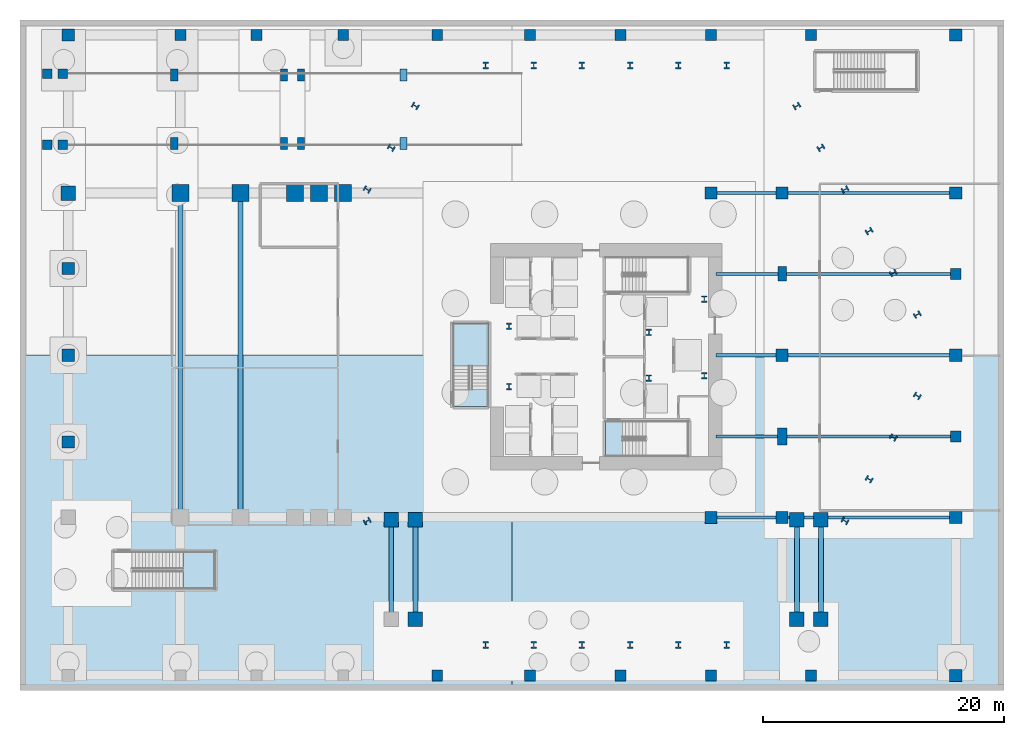
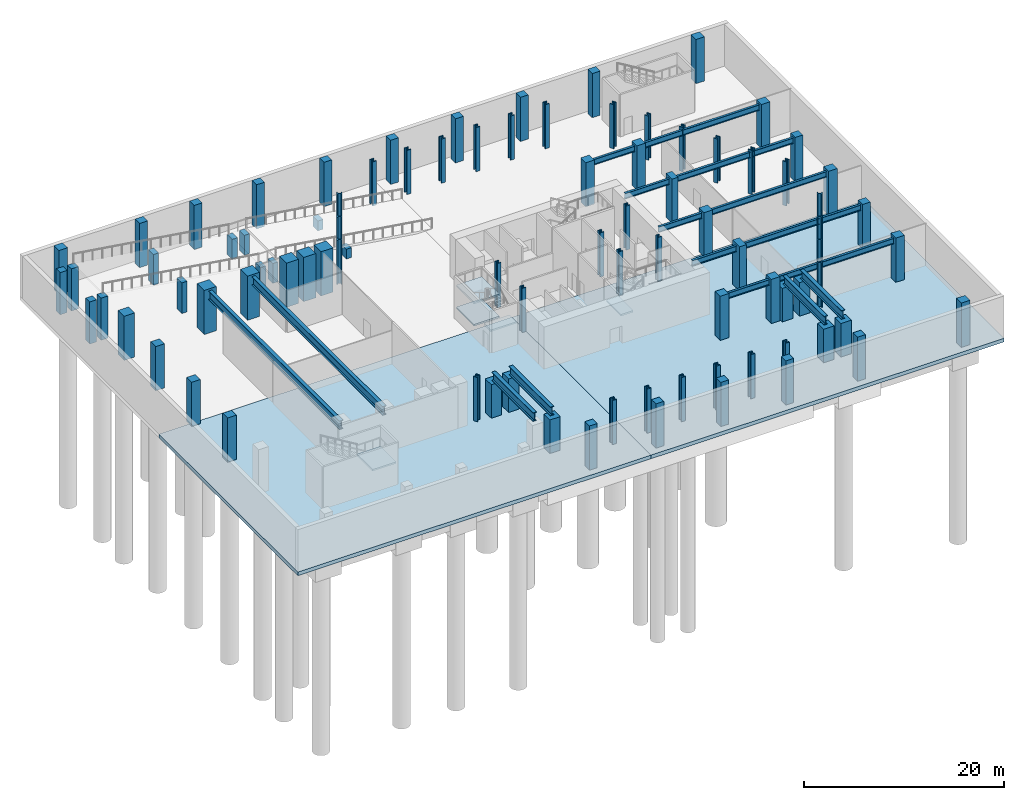
# One storey, part 2 of 16: 88 columns, 16 beams, 7 slabs, 3 elements without a shape of their own.
"""IFC4 building model written with IfcOpenShell, lengths in metres."""

from ifc_helpers import new_model, si_unit, direction, frame, origin, origin_2d, place, context, subcontext, project, spatial, polyline, rectangle, i_section, outline, extrude, material, layer, layer_set, material_profile, profile_set, type_object, element, aggregate, save


model = new_model("IFC4")

# Units and contexts
model_context = context("Model", 3, precision=1e-05, world=origin(), true_north=direction((0.0, 1.0)))
body_context = subcontext(model_context, "Body", "Model", "MODEL_VIEW")
ifc_project = project(units=[si_unit("LENGTHUNIT", "METRE"), si_unit("AREAUNIT", "SQUARE_METRE"), si_unit("VOLUMEUNIT", "CUBIC_METRE"), si_unit("PLANEANGLEUNIT", "RADIAN"), si_unit("MASSUNIT", "GRAM", prefix="KILO")], contexts=[model_context])

# Site, building, storey
site_placement = place(None, origin())
site = spatial("IfcSite", under=ifc_project, at=site_placement, CompositionType="ELEMENT")
building_placement = place(site_placement, origin())
building = spatial("IfcBuilding", under=site, at=building_placement, Name="Valkerne Bourse Tower", CompositionType="ELEMENT")
storey_placement = place(building_placement, frame((0.0, 0.0, -5.39990234375)))
storey = spatial("IfcBuildingStorey", under=building, at=storey_placement, Name="B1", CompositionType="ELEMENT", Elevation=-5.39990234375)

# Columns
ifc_material_1 = material(Name="Concrete C70/85", Category="concrete")
ifc_material_profile_1 = material_profile(ifc_material_1, rectangle(XDim=1.0, YDim=1.0, at=origin_2d()), Name="RC1000X1000")
ifc_profile_set_1 = profile_set([ifc_material_profile_1], Name="Concrete C70/85")
column_type_1 = type_object("IfcColumnType", Name="COL-RC1000X1000", PredefinedType="COLUMN", material=ifc_profile_set_1)
for number, where, z_axis, x_axis, name in (
    (1, (2.199951171875, 19.800048828125, 0.0), (0.0, 0.0, 1.0), (1.0, 0.0, 0.0), "B1 Podium Column PW-3"),
    (2, (2.199951171875, 27.0, 0.0), (0.0, 0.0, 1.0), (1.0, 0.0, 0.0), "B1 Podium Column PW-4"),
    (3, (2.199951171875, 34.199951171875, 0.0), (0.0, 0.0, 1.0), (1.0, 0.0, 0.0), "B1 Podium Column PW-5"),
    (4, (2.199951171875, 53.550048828125, 0.0), (0.0, 0.0, 1.0), (1.0, 0.0, 0.0), "B1 Podium Column PW-7"),
    (5, (75.800048828125, 0.449951171875, 0.0), (0.0, 0.0, 1.0), (1.0, 0.0, 0.0), "B1 Podium Column PS-9"),
    (6, (75.800048828125, 53.550048828125, 0.0), (0.0, 0.0, 1.0), (1.0, 0.0, 0.0), "B1 Podium Column PN-9"),
    (7, (75.800048828125, 13.550048828125, 0.0), (0.0, 0.0, 1.0), (1.0, 0.0, 0.0), "B1 Podium Column PE-1"),
    (8, (75.800048828125, 27.0, 0.0), (0.0, 0.0, 1.0), (1.0, 0.0, 0.0), "B1 Podium Column PE-3"),
    (9, (75.800048828125, 40.449951171875, 0.0), (0.0, 0.0, 1.0), (1.0, 0.0, 0.0), "B1 Podium Column PE-5"),
    (10, (55.5, 13.550048828125, 0.0), (0.0, 0.0, 1.0), (1.0, 0.0, 0.0), "B1 Podium Column PI-C1"),
    (11, (55.5, 40.449951171875, 0.0), (0.0, 0.0, 1.0), (1.0, 0.0, 0.0), "B1 Podium Column PI-C2"),
    (12, (61.39990234375, 13.550048828125, 0.0), (0.0, 0.0, 1.0), (1.0, 0.0, 0.0), "B1 Podium Column PI-E1"),
    (13, (61.39990234375, 27.0, 0.0), (0.0, 0.0, 1.0), (1.0, 0.0, 0.0), "B1 Podium Column PI-E3"),
    (14, (61.39990234375, 40.449951171875, 0.0), (0.0, 0.0, 1.0), (1.0, 0.0, 0.0), "B1 Podium Column PI-E5"),
):
    element("IfcColumn", number, at=place(storey_placement, frame(where, z_axis=z_axis, x_axis=x_axis)), inside=storey, type_object=column_type_1, Name=name, PredefinedType="COLUMN", context=body_context, shape_type="SweptSolid", body=[
        extrude(rectangle(XDim=1.0, YDim=1.0, at=origin_2d()), origin(), (0.0, 0.0, 1.0), 5.39990234375),
    ])
ifc_material_profile_2 = material_profile(ifc_material_1, rectangle(XDim=1.199951171875, YDim=1.199951171875, at=origin_2d()), Name="RC1200X1200")
ifc_profile_set_2 = profile_set([ifc_material_profile_2], Name="Concrete C70/85")
column_type_2 = type_object("IfcColumnType", Name="COL-RC1200X1200", PredefinedType="COLUMN", material=ifc_profile_set_2)
column_1_placement = place(storey_placement, frame((2.199951171875, 40.449951171875, 0.0), z_axis=(0.0, 0.0, 1.0), x_axis=(1.0, 0.0, 0.0)))
element("IfcColumn", 15, at=column_1_placement, inside=storey, type_object=column_type_2, Name="B1 Podium Column PW-6", PredefinedType="COLUMN", context=body_context, shape_type="SweptSolid", body=[
    extrude(rectangle(XDim=1.199951171875, YDim=1.199951171875, at=origin_2d()), origin(), (0.0, 0.0, 1.0), 5.39990234375),
])
for number, where, z_axis, x_axis, name in (
    (16, (28.984619140625, 13.35009765625, 0.0), (0.0, 0.0, 1.0), (1.0, 0.0, 0.0), "B1 Lane Transfer Pier 22B"),
    (17, (30.982421875, 5.10009765625, 0.0), (0.0, 0.0, 1.0), (1.0, 0.0, 0.0), "B1 Lane Transfer Pier 23A"),
    (18, (30.982421875, 13.35009765625, 0.0), (0.0, 0.0, 1.0), (1.0, 0.0, 0.0), "B1 Lane Transfer Pier 23B"),
    (19, (62.617431640625, 5.10009765625, 0.0), (0.0, 0.0, 1.0), (1.0, 0.0, 0.0), "B1 Lane Transfer Pier 30A"),
    (20, (62.617431640625, 13.35009765625, 0.0), (0.0, 0.0, 1.0), (1.0, 0.0, 0.0), "B1 Lane Transfer Pier 30B"),
    (21, (64.615478515625, 5.10009765625, 0.0), (0.0, 0.0, 1.0), (1.0, 0.0, 0.0), "B1 Lane Transfer Pier 31A"),
    (22, (64.615478515625, 13.35009765625, 0.0), (0.0, 0.0, 1.0), (1.0, 0.0, 0.0), "B1 Lane Transfer Pier 31B"),
):
    element("IfcColumn", number, at=place(storey_placement, frame(where, z_axis=z_axis, x_axis=x_axis)), inside=storey, type_object=column_type_2, Name=name, PredefinedType="COLUMN", context=body_context, shape_type="SweptSolid", body=[
        extrude(rectangle(XDim=1.199951171875, YDim=1.199951171875, at=origin_2d()), origin(), (0.0, 0.0, 1.0), 4.093017578125),
    ])
ifc_material_profile_3 = material_profile(ifc_material_1, rectangle(XDim=1.39990234375, YDim=1.39990234375, at=origin_2d()), Name="RC1400X1400")
ifc_profile_set_3 = profile_set([ifc_material_profile_3], Name="Concrete C70/85")
column_type_3 = type_object("IfcColumnType", Name="COL-RC1400X1400", PredefinedType="COLUMN", material=ifc_profile_set_3)
for number, where, z_axis, x_axis, name in (
    (23, (11.5, 40.449951171875, 0.0), (0.0, 0.0, 1.0), (1.0, 0.0, 0.0), "B1 Podium Column MC-N1"),
    (24, (16.5, 40.449951171875, 0.0), (0.0, 0.0, 1.0), (1.0, 0.0, 0.0), "B1 Podium Column MC-N2"),
    (25, (20.991943359375, 40.449951171875, 0.0), (0.0, 0.0, 1.0), (1.0, 0.0, 0.0), "B1 Podium Column MCH-N1"),
    (26, (22.990966796875, 40.449951171875, 0.0), (0.0, 0.0, 1.0), (1.0, 0.0, 0.0), "B1 Podium Column MCH-N2"),
    (27, (24.988037109375, 40.449951171875, 0.0), (0.0, 0.0, 1.0), (1.0, 0.0, 0.0), "B1 Podium Column MCH-N3"),
):
    element("IfcColumn", number, at=place(storey_placement, frame(where, z_axis=z_axis, x_axis=x_axis)), inside=storey, type_object=column_type_3, Name=name, PredefinedType="COLUMN", context=body_context, shape_type="SweptSolid", body=[
        extrude(rectangle(XDim=1.39990234375, YDim=1.39990234375, at=origin_2d()), origin(), (0.0, 0.0, 1.0), 5.39990234375),
    ])
ifc_material_2 = material(Name="Concrete C55/67", Category="concrete")
ifc_material_profile_4 = material_profile(ifc_material_2, rectangle(XDim=0.60009765625, YDim=1.0, at=origin_2d()), Name="RC600X1000")
ifc_profile_set_4 = profile_set([ifc_material_profile_4], Name="Concrete C55/67")
column_type_4 = type_object("IfcColumnType", Name="COL-RC600X1000", PredefinedType="COLUMN", material=ifc_profile_set_4)
for number, where, z_axis, x_axis, name in (
    (28, (30.0, 44.550048828125, 0.0), (0.0, 0.0, 1.0), (1.0, 0.0, 0.0), "B1 Vehicle Ramp Support Column X30.0"),
    (29, (30.0, 50.25, 0.0), (0.0, 0.0, 1.0), (1.0, 0.0, 0.0), "B1 Vehicle Ramp Support Column X30.0"),
):
    element("IfcColumn", number, at=place(storey_placement, frame(where, z_axis=z_axis, x_axis=x_axis)), inside=storey, type_object=column_type_4, Name=name, PredefinedType="COLUMN", context=body_context, shape_type="SweptSolid", body=[
        extrude(rectangle(XDim=0.60009765625, YDim=1.0, at=origin_2d()), origin(), (0.0, 0.0, 1.0), 1.199951171875),
    ])
for number, where, z_axis, x_axis, name in (
    (30, (21.5, 44.550048828125, 0.0), (0.0, 0.0, 1.0), (1.0, 0.0, 0.0), "B1 Vehicle Ramp Support Column X21.5"),
    (31, (21.5, 50.25, 0.0), (0.0, 0.0, 1.0), (1.0, 0.0, 0.0), "B1 Vehicle Ramp Support Column X21.5"),
    (32, (20.10009765625, 44.550048828125, 0.0), (0.0, 0.0, 1.0), (1.0, 0.0, 0.0), "B1 Vehicle Ramp Support Column X20.1"),
    (33, (20.10009765625, 50.25, 0.0), (0.0, 0.0, 1.0), (1.0, 0.0, 0.0), "B1 Vehicle Ramp Support Column X20.1"),
):
    element("IfcColumn", number, at=place(storey_placement, frame(where, z_axis=z_axis, x_axis=x_axis)), inside=storey, type_object=column_type_4, Name=name, PredefinedType="COLUMN", context=body_context, shape_type="SweptSolid", body=[
        extrude(rectangle(XDim=0.60009765625, YDim=1.0, at=origin_2d()), origin(), (0.0, 0.0, 1.0), 2.419921875),
    ])
for number, where, z_axis, x_axis, name in (
    (34, (11.0, 44.550048828125, 0.0), (0.0, 0.0, 1.0), (1.0, 0.0, 0.0), "B1 Vehicle Ramp Support Column X11.0"),
    (35, (11.0, 50.25, 0.0), (0.0, 0.0, 1.0), (1.0, 0.0, 0.0), "B1 Vehicle Ramp Support Column X11.0"),
):
    element("IfcColumn", number, at=place(storey_placement, frame(where, z_axis=z_axis, x_axis=x_axis)), inside=storey, type_object=column_type_4, Name=name, PredefinedType="COLUMN", context=body_context, shape_type="SweptSolid", body=[
        extrude(rectangle(XDim=0.60009765625, YDim=1.0, at=origin_2d()), origin(), (0.0, 0.0, 1.0), 3.75),
    ])
ifc_material_profile_5 = material_profile(ifc_material_1, rectangle(XDim=0.699951171875, YDim=1.199951171875, at=origin_2d()), Name="RC700X1200")
ifc_profile_set_5 = profile_set([ifc_material_profile_5], Name="Concrete C70/85")
column_type_5 = type_object("IfcColumnType", Name="COL-RC700X1200", PredefinedType="COLUMN", material=ifc_profile_set_5)
column_2_placement = place(storey_placement, frame((61.39990234375, 33.75, 0.0), z_axis=(0.0, 0.0, 1.0), x_axis=(1.0, 0.0, 0.0)))
element("IfcColumn", 36, at=column_2_placement, inside=storey, type_object=column_type_5, Name="B1 Podium Column PI-E4", PredefinedType="COLUMN", context=body_context, shape_type="SweptSolid", body=[
    extrude(rectangle(XDim=0.699951171875, YDim=1.199951171875, at=origin_2d()), origin(), (0.0, 0.0, 1.0), 5.39990234375),
])
ifc_material_profile_6 = material_profile(ifc_material_1, rectangle(XDim=0.800048828125, YDim=1.39990234375, at=origin_2d()), Name="RC800X1400")
ifc_profile_set_6 = profile_set([ifc_material_profile_6], Name="Concrete C70/85")
column_type_6 = type_object("IfcColumnType", Name="COL-RC800X1400", PredefinedType="COLUMN", material=ifc_profile_set_6)
column_3_placement = place(storey_placement, frame((61.39990234375, 20.25, 0.0), z_axis=(0.0, 0.0, 1.0), x_axis=(1.0, 0.0, 0.0)))
element("IfcColumn", 37, at=column_3_placement, inside=storey, type_object=column_type_6, Name="B1 Podium Column PI-E2", PredefinedType="COLUMN", context=body_context, shape_type="SweptSolid", body=[
    extrude(rectangle(XDim=0.800048828125, YDim=1.39990234375, at=origin_2d()), origin(), (0.0, 0.0, 1.0), 5.39990234375),
])
ifc_material_profile_7 = material_profile(ifc_material_2, rectangle(XDim=0.800048828125, YDim=0.800048828125, at=origin_2d()), Name="RC800X800")
ifc_profile_set_7 = profile_set([ifc_material_profile_7], Name="Concrete C55/67")
column_type_7 = type_object("IfcColumnType", Name="COL-RC800X800", PredefinedType="COLUMN", material=ifc_profile_set_7)
for number, where, z_axis, x_axis, name in (
    (38, (0.449951171875, 44.449951171875, 0.0), (0.0, 0.0, 1.0), (1.0, 0.0, 0.0), "B1 Podium Column PRA-1"),
    (39, (0.449951171875, 50.35009765625, 0.0), (0.0, 0.0, 1.0), (1.0, 0.0, 0.0), "B1 Podium Column PRA-2"),
    (40, (1.75, 44.449951171875, 0.0), (0.0, 0.0, 1.0), (1.0, 0.0, 0.0), "B1 Podium Column PRA-3"),
    (41, (1.75, 50.35009765625, 0.0), (0.0, 0.0, 1.0), (1.0, 0.0, 0.0), "B1 Podium Column PRA-4"),
):
    element("IfcColumn", number, at=place(storey_placement, frame(where, z_axis=z_axis, x_axis=x_axis)), inside=storey, type_object=column_type_7, Name=name, PredefinedType="COLUMN", context=body_context, shape_type="SweptSolid", body=[
        extrude(rectangle(XDim=0.800048828125, YDim=0.800048828125, at=origin_2d()), origin(), (0.0, 0.0, 1.0), 5.14990234375),
    ])
ifc_material_profile_8 = material_profile(ifc_material_1, rectangle(XDim=0.89990234375, YDim=0.89990234375, at=origin_2d()), Name="RC900X900")
ifc_profile_set_8 = profile_set([ifc_material_profile_8], Name="Concrete C70/85")
column_type_8 = type_object("IfcColumnType", Name="COL-RC900X900", PredefinedType="COLUMN", material=ifc_profile_set_8)
for number, where, z_axis, x_axis, name in (
    (42, (32.800048828125, 0.449951171875, 0.0), (0.0, 0.0, 1.0), (1.0, 0.0, 0.0), "B1 Podium Column PS-4"),
    (43, (40.5, 0.449951171875, 0.0), (0.0, 0.0, 1.0), (1.0, 0.0, 0.0), "B1 Podium Column PS-5"),
    (44, (48.0, 0.449951171875, 0.0), (0.0, 0.0, 1.0), (1.0, 0.0, 0.0), "B1 Podium Column PS-6"),
    (45, (55.5, 0.449951171875, 0.0), (0.0, 0.0, 1.0), (1.0, 0.0, 0.0), "B1 Podium Column PS-7"),
    (46, (63.800048828125, 0.449951171875, 0.0), (0.0, 0.0, 1.0), (1.0, 0.0, 0.0), "B1 Podium Column PS-8"),
    (47, (11.5, 53.550048828125, 0.0), (0.0, 0.0, 1.0), (1.0, 0.0, 0.0), "B1 Podium Column PN-1"),
    (48, (17.800048828125, 53.550048828125, 0.0), (0.0, 0.0, 1.0), (1.0, 0.0, 0.0), "B1 Podium Column PN-2"),
    (49, (25.0, 53.550048828125, 0.0), (0.0, 0.0, 1.0), (1.0, 0.0, 0.0), "B1 Podium Column PN-3"),
    (50, (32.800048828125, 53.550048828125, 0.0), (0.0, 0.0, 1.0), (1.0, 0.0, 0.0), "B1 Podium Column PN-4"),
    (51, (40.5, 53.550048828125, 0.0), (0.0, 0.0, 1.0), (1.0, 0.0, 0.0), "B1 Podium Column PN-5"),
    (52, (48.0, 53.550048828125, 0.0), (0.0, 0.0, 1.0), (1.0, 0.0, 0.0), "B1 Podium Column PN-6"),
    (53, (55.5, 53.550048828125, 0.0), (0.0, 0.0, 1.0), (1.0, 0.0, 0.0), "B1 Podium Column PN-7"),
    (54, (63.800048828125, 53.550048828125, 0.0), (0.0, 0.0, 1.0), (1.0, 0.0, 0.0), "B1 Podium Column PN-8"),
    (55, (75.800048828125, 20.25, 0.0), (0.0, 0.0, 1.0), (1.0, 0.0, 0.0), "B1 Podium Column PE-2"),
    (56, (75.800048828125, 33.75, 0.0), (0.0, 0.0, 1.0), (1.0, 0.0, 0.0), "B1 Podium Column PE-4"),
):
    element("IfcColumn", number, at=place(storey_placement, frame(where, z_axis=z_axis, x_axis=x_axis)), inside=storey, type_object=column_type_8, Name=name, PredefinedType="COLUMN", context=body_context, shape_type="SweptSolid", body=[
        extrude(rectangle(XDim=0.89990234375, YDim=0.89990234375, at=origin_2d()), origin(), (0.0, 0.0, 1.0), 5.39990234375),
    ])
ifc_material_3 = material(Name="Steel ASTM A913 Grade 65", Category="steel")
ifc_material_profile_9 = material_profile(ifc_material_3, i_section(OverallWidth=0.44189453125, OverallDepth=0.531005859375, WebThickness=0.06591796875, FlangeThickness=0.105712890625, FilletRadius=0.030517578125, at=origin_2d()), Name="W14X605")
ifc_profile_set_9 = profile_set([ifc_material_profile_9], Name="Steel ASTM A913 Grade 65")
column_type_9 = type_object("IfcColumnType", Name="COL-W14X605", PredefinedType="COLUMN", material=ifc_profile_set_9)
for number, where, z_axis, x_axis, name in (
    (57, (38.75, 24.39990234375, 0.0), (0.0, 0.0, 1.0), (1.0, 0.0, 0.0), "B1 Core Frame Column CC-SW"),
    (58, (38.75, 29.39990234375, 0.0), (0.0, 0.0, 1.0), (1.0, 0.0, 0.0), "B1 Core Frame Column CC-NW"),
    (59, (50.35009765625, 25.10009765625, 0.0), (0.0, 0.0, 1.0), (1.0, 0.0, 0.0), "B1 Core Frame Column CC-CE1"),
    (60, (50.35009765625, 28.89990234375, 0.0), (0.0, 0.0, 1.0), (1.0, 0.0, 0.0), "B1 Core Frame Column CC-CE2"),
    (61, (54.949951171875, 25.300048828125, 0.0), (0.0, 0.0, 1.0), (1.0, 0.0, 0.0), "B1 Core Frame Column CC-SE"),
    (62, (54.949951171875, 31.64990234375, 0.0), (0.0, 0.0, 1.0), (1.0, 0.0, 0.0), "B1 Core Frame Column CC-NE"),
):
    element("IfcColumn", number, at=place(storey_placement, frame(where, z_axis=z_axis, x_axis=x_axis)), inside=storey, type_object=column_type_9, Name=name, PredefinedType="COLUMN", context=body_context, shape_type="SweptSolid", body=[
        extrude(i_section(OverallWidth=0.44189453125, OverallDepth=0.531005859375, WebThickness=0.06591796875, FlangeThickness=0.105712890625, FilletRadius=0.030517578125, at=origin_2d()), origin(), (0.0, 0.0, 1.0), 5.39990234375),
    ])
ifc_material_profile_10 = material_profile(ifc_material_3, i_section(OverallWidth=0.45458984375, OverallDepth=0.569091796875, WebThickness=0.077880859375, FlangeThickness=0.124755859375, FilletRadius=0.030517578125, at=origin_2d()), Name="W14X730")
ifc_profile_set_10 = profile_set([ifc_material_profile_10], Name="Steel ASTM A913 Grade 65")
column_type_10 = type_object("IfcColumnType", Name="COL-W14X730", PredefinedType="COLUMN", material=ifc_profile_set_10)
for number, where, z_axis, x_axis, name in (
    (63, (72.607421875, 30.364501953125, 0.0), (0.0, 0.0, 1.0), (-0.5, 0.866025403784, 0.0), "B1 Tower Base Mega-Column Z1B-00"),
    (64, (70.609619140625, 33.8251953125, 0.0), (0.0, 0.0, 1.0), (-0.5, 0.866025403784, 0.0), "B1 Tower Base Mega-Column Z1B-01"),
    (65, (68.611572265625, 37.285888671875, 0.0), (0.0, 0.0, 1.0), (-0.5, 0.866025403784, 0.0), "B1 Tower Base Mega-Column Z1B-02"),
    (66, (66.613525390625, 40.746337890625, 0.0), (0.0, 0.0, 1.0), (-0.5, 0.866025403784, 0.0), "B1 Tower Base Mega-Column Z1B-03"),
    (67, (64.615478515625, 44.20703125, 0.0), (0.0, 0.0, 1.0), (-0.5, 0.866025403784, 0.0), "B1 Tower Base Mega-Column Z1B-04"),
    (68, (62.617431640625, 47.667724609375, 0.0), (0.0, 0.0, 1.0), (-0.5, 0.866025403784, 0.0), "B1 Tower Base Mega-Column Z1B-05"),
    (69, (56.7900390625, 51.0322265625, 0.0), (0.0, 0.0, 1.0), (-1.0, 0.0, 0.0), "B1 Tower Base Mega-Column Z1B-06"),
    (70, (52.7939453125, 51.0322265625, 0.0), (0.0, 0.0, 1.0), (-1.0, 0.0, 0.0), "B1 Tower Base Mega-Column Z1B-07"),
    (71, (48.798095703125, 51.0322265625, 0.0), (0.0, 0.0, 1.0), (-1.0, 0.0, 0.0), "B1 Tower Base Mega-Column Z1B-08"),
    (72, (44.802001953125, 51.0322265625, 0.0), (0.0, 0.0, 1.0), (-1.0, 0.0, 0.0), "B1 Tower Base Mega-Column Z1B-09"),
    (73, (40.805908203125, 51.0322265625, 0.0), (0.0, 0.0, 1.0), (-1.0, 0.0, 0.0), "B1 Tower Base Mega-Column Z1B-10"),
    (74, (36.81005859375, 51.0322265625, 0.0), (0.0, 0.0, 1.0), (-1.0, 0.0, 0.0), "B1 Tower Base Mega-Column Z1B-11"),
    (75, (30.982421875, 47.667724609375, 0.0), (0.0, 0.0, 1.0), (-0.5, -0.866025403784, 0.0), "B1 Tower Base Mega-Column Z1B-12"),
    (76, (28.984619140625, 44.20703125, 0.0), (0.0, 0.0, 1.0), (-0.5, -0.866025403784, 0.0), "B1 Tower Base Mega-Column Z1B-13"),
    (77, (26.986572265625, 40.746337890625, 0.0), (0.0, 0.0, 1.0), (-0.5, -0.866025403784, 0.0), "B1 Tower Base Mega-Column Z1B-14"),
    (78, (26.986572265625, 13.253662109375, 0.0), (0.0, 0.0, 1.0), (0.5, -0.866025403784, 0.0), "B1 Tower Base Mega-Column Z1B-21"),
    (79, (36.81005859375, 2.9677734375, 0.0), (0.0, 0.0, 1.0), (1.0, 0.0, 0.0), "B1 Tower Base Mega-Column Z1B-24"),
    (80, (40.805908203125, 2.9677734375, 0.0), (0.0, 0.0, 1.0), (1.0, 0.0, 0.0), "B1 Tower Base Mega-Column Z1B-25"),
    (81, (44.802001953125, 2.9677734375, 0.0), (0.0, 0.0, 1.0), (1.0, 0.0, 0.0), "B1 Tower Base Mega-Column Z1B-26"),
    (82, (48.798095703125, 2.9677734375, 0.0), (0.0, 0.0, 1.0), (1.0, 0.0, 0.0), "B1 Tower Base Mega-Column Z1B-27"),
    (83, (52.7939453125, 2.9677734375, 0.0), (0.0, 0.0, 1.0), (1.0, 0.0, 0.0), "B1 Tower Base Mega-Column Z1B-28"),
    (84, (56.7900390625, 2.9677734375, 0.0), (0.0, 0.0, 1.0), (1.0, 0.0, 0.0), "B1 Tower Base Mega-Column Z1B-29"),
    (85, (66.613525390625, 13.253662109375, 0.0), (0.0, 0.0, 1.0), (0.5, 0.866025403784, 0.0), "B1 Tower Base Mega-Column Z1B-32"),
    (86, (68.611572265625, 16.714111328125, 0.0), (0.0, 0.0, 1.0), (0.5, 0.866025403784, 0.0), "B1 Tower Base Mega-Column Z1B-33"),
    (87, (70.609619140625, 20.1748046875, 0.0), (0.0, 0.0, 1.0), (0.5, 0.866025403784, 0.0), "B1 Tower Base Mega-Column Z1B-34"),
    (88, (72.607421875, 23.635498046875, 0.0), (0.0, 0.0, 1.0), (0.5, 0.866025403784, 0.0), "B1 Tower Base Mega-Column Z1B-35"),
):
    element("IfcColumn", number, at=place(storey_placement, frame(where, z_axis=z_axis, x_axis=x_axis)), inside=storey, type_object=column_type_10, Name=name, PredefinedType="COLUMN", context=body_context, shape_type="SweptSolid", body=[
        extrude(i_section(OverallWidth=0.45458984375, OverallDepth=0.569091796875, WebThickness=0.077880859375, FlangeThickness=0.124755859375, FilletRadius=0.030517578125, at=origin_2d()), origin(), (0.0, 0.0, 1.0), 5.39501953125),
    ])

# Beams
ifc_material_4 = material(Name="Steel ASTM A992", Category="steel")
ifc_material_profile_11 = material_profile(ifc_material_4, i_section(OverallWidth=0.255859375, OverallDepth=0.693359375, WebThickness=0.014404296875, FlangeThickness=0.023681640625, FilletRadius=0.02294921875, at=origin_2d()), Name="W27X114")
ifc_profile_set_11 = profile_set([ifc_material_profile_11], Name="Steel ASTM A992")
beam_type_1 = type_object("IfcBeamType", Name="BM-W27X114", PredefinedType="BEAM", material=ifc_profile_set_11)
beam_1_placement = place(storey_placement, frame((55.5, 13.550048828125, 4.813232421875), z_axis=(1.0, 0.0, 0.0), x_axis=(0.0, 1.0, 0.0)))
element("IfcBeam", 89, at=beam_1_placement, inside=storey, type_object=beam_type_1, Name="B1 East Wing Floor Girder 1 Y13", PredefinedType="BEAM", context=body_context, shape_type="SweptSolid", body=[
    extrude(i_section(OverallWidth=0.255859375, OverallDepth=0.693359375, WebThickness=0.014404296875, FlangeThickness=0.023681640625, FilletRadius=0.02294921875, at=origin_2d()), origin(), (0.0, 0.0, 1.0), 5.89990234375),
])
beam_2_placement = place(storey_placement, frame((61.39990234375, 13.550048828125, 4.813232421875), z_axis=(1.0, 0.0, 0.0), x_axis=(0.0, 1.0, 0.0)))
element("IfcBeam", 90, at=beam_2_placement, inside=storey, type_object=beam_type_1, Name="B1 East Wing Floor Girder 2 Y13", PredefinedType="BEAM", context=body_context, shape_type="SweptSolid", body=[
    extrude(i_section(OverallWidth=0.255859375, OverallDepth=0.693359375, WebThickness=0.014404296875, FlangeThickness=0.023681640625, FilletRadius=0.02294921875, at=origin_2d()), origin(), (0.0, 0.0, 1.0), 14.400146484375),
])
beam_3_placement = place(storey_placement, frame((55.89990234375, 20.25, 4.813232421875), z_axis=(1.0, 0.0, 0.0), x_axis=(0.0, 1.0, 0.0)))
element("IfcBeam", 91, at=beam_3_placement, inside=storey, type_object=beam_type_1, Name="B1 East Wing Floor Girder 1 Y20", PredefinedType="BEAM", context=body_context, shape_type="SweptSolid", body=[
    extrude(i_section(OverallWidth=0.255859375, OverallDepth=0.693359375, WebThickness=0.014404296875, FlangeThickness=0.023681640625, FilletRadius=0.02294921875, at=origin_2d()), origin(), (0.0, 0.0, 1.0), 5.5),
])
beam_4_placement = place(storey_placement, frame((61.39990234375, 20.25, 4.813232421875), z_axis=(1.0, 0.0, 0.0), x_axis=(0.0, 1.0, 0.0)))
element("IfcBeam", 92, at=beam_4_placement, inside=storey, type_object=beam_type_1, Name="B1 East Wing Floor Girder 2 Y20", PredefinedType="BEAM", context=body_context, shape_type="SweptSolid", body=[
    extrude(i_section(OverallWidth=0.255859375, OverallDepth=0.693359375, WebThickness=0.014404296875, FlangeThickness=0.023681640625, FilletRadius=0.02294921875, at=origin_2d()), origin(), (0.0, 0.0, 1.0), 14.400146484375),
])
beam_5_placement = place(storey_placement, frame((55.89990234375, 27.0, 4.813232421875), z_axis=(1.0, 0.0, 0.0), x_axis=(0.0, 1.0, 0.0)))
element("IfcBeam", 93, at=beam_5_placement, inside=storey, type_object=beam_type_1, Name="B1 East Wing Floor Girder 1 Y27", PredefinedType="BEAM", context=body_context, shape_type="SweptSolid", body=[
    extrude(i_section(OverallWidth=0.255859375, OverallDepth=0.693359375, WebThickness=0.014404296875, FlangeThickness=0.023681640625, FilletRadius=0.02294921875, at=origin_2d()), origin(), (0.0, 0.0, 1.0), 5.5),
])
beam_6_placement = place(storey_placement, frame((61.39990234375, 27.0, 4.813232421875), z_axis=(1.0, 0.0, 0.0), x_axis=(0.0, 1.0, 0.0)))
element("IfcBeam", 94, at=beam_6_placement, inside=storey, type_object=beam_type_1, Name="B1 East Wing Floor Girder 2 Y27", PredefinedType="BEAM", context=body_context, shape_type="SweptSolid", body=[
    extrude(i_section(OverallWidth=0.255859375, OverallDepth=0.693359375, WebThickness=0.014404296875, FlangeThickness=0.023681640625, FilletRadius=0.02294921875, at=origin_2d()), origin(), (0.0, 0.0, 1.0), 14.400146484375),
])
beam_7_placement = place(storey_placement, frame((55.89990234375, 33.75, 4.813232421875), z_axis=(1.0, 0.0, 0.0), x_axis=(0.0, 1.0, 0.0)))
element("IfcBeam", 95, at=beam_7_placement, inside=storey, type_object=beam_type_1, Name="B1 East Wing Floor Girder 1 Y33", PredefinedType="BEAM", context=body_context, shape_type="SweptSolid", body=[
    extrude(i_section(OverallWidth=0.255859375, OverallDepth=0.693359375, WebThickness=0.014404296875, FlangeThickness=0.023681640625, FilletRadius=0.02294921875, at=origin_2d()), origin(), (0.0, 0.0, 1.0), 5.5),
])
beam_8_placement = place(storey_placement, frame((61.39990234375, 33.75, 4.813232421875), z_axis=(1.0, 0.0, 0.0), x_axis=(0.0, 1.0, 0.0)))
element("IfcBeam", 96, at=beam_8_placement, inside=storey, type_object=beam_type_1, Name="B1 East Wing Floor Girder 2 Y33", PredefinedType="BEAM", context=body_context, shape_type="SweptSolid", body=[
    extrude(i_section(OverallWidth=0.255859375, OverallDepth=0.693359375, WebThickness=0.014404296875, FlangeThickness=0.023681640625, FilletRadius=0.02294921875, at=origin_2d()), origin(), (0.0, 0.0, 1.0), 14.400146484375),
])
beam_9_placement = place(storey_placement, frame((55.5, 40.449951171875, 4.813232421875), z_axis=(1.0, 0.0, 0.0), x_axis=(0.0, 1.0, 0.0)))
element("IfcBeam", 97, at=beam_9_placement, inside=storey, type_object=beam_type_1, Name="B1 East Wing Floor Girder 1 Y40", PredefinedType="BEAM", context=body_context, shape_type="SweptSolid", body=[
    extrude(i_section(OverallWidth=0.255859375, OverallDepth=0.693359375, WebThickness=0.014404296875, FlangeThickness=0.023681640625, FilletRadius=0.02294921875, at=origin_2d()), origin(), (0.0, 0.0, 1.0), 5.89990234375),
])
beam_10_placement = place(storey_placement, frame((61.39990234375, 40.449951171875, 4.813232421875), z_axis=(1.0, 0.0, 0.0), x_axis=(0.0, 1.0, 0.0)))
element("IfcBeam", 98, at=beam_10_placement, inside=storey, type_object=beam_type_1, Name="B1 East Wing Floor Girder 2 Y40", PredefinedType="BEAM", context=body_context, shape_type="SweptSolid", body=[
    extrude(i_section(OverallWidth=0.255859375, OverallDepth=0.693359375, WebThickness=0.014404296875, FlangeThickness=0.023681640625, FilletRadius=0.02294921875, at=origin_2d()), origin(), (0.0, 0.0, 1.0), 14.400146484375),
])
ifc_material_profile_12 = material_profile(ifc_material_3, i_section(OverallWidth=0.40380859375, OverallDepth=1.04638671875, WebThickness=0.025390625, FlangeThickness=0.0458984375, FilletRadius=0.030517578125, at=origin_2d()), Name="W40X324")
ifc_profile_set_12 = profile_set([ifc_material_profile_12], Name="Steel ASTM A913 Grade 65")
beam_type_2 = type_object("IfcBeamType", Name="BM-W40X324", PredefinedType="BEAM", material=ifc_profile_set_12)
for number, where, z_axis, x_axis, name in (
    (99, (11.5, 13.550048828125, 4.63671875), (0.0, 1.0, 0.0), (-1.0, 0.0, 0.0), "B1 Clear-Span Hall/Trading Girder X11"),
    (100, (16.5, 13.550048828125, 4.63671875), (0.0, 1.0, 0.0), (-1.0, 0.0, 0.0), "B1 Clear-Span Hall/Trading Girder X16"),
):
    element("IfcBeam", number, at=place(storey_placement, frame(where, z_axis=z_axis, x_axis=x_axis)), inside=storey, type_object=beam_type_2, Name=name, PredefinedType="BEAM", context=body_context, shape_type="SweptSolid", body=[
        extrude(i_section(OverallWidth=0.40380859375, OverallDepth=1.04638671875, WebThickness=0.025390625, FlangeThickness=0.0458984375, FilletRadius=0.030517578125, at=origin_2d()), origin(), (0.0, 0.0, 1.0), 26.89990234375),
    ])
ifc_material_profile_13 = material_profile(ifc_material_3, i_section(OverallWidth=0.408935546875, OverallDepth=1.06689453125, WebThickness=0.031005859375, FlangeThickness=0.055908203125, FilletRadius=0.030517578125, at=origin_2d()), Name="W40X397")
ifc_profile_set_13 = profile_set([ifc_material_profile_13], Name="Steel ASTM A913 Grade 65")
beam_type_3 = type_object("IfcBeamType", Name="BM-W40X397", PredefinedType="BEAM", material=ifc_profile_set_13)
for number, where, z_axis, x_axis, name in (
    (101, (28.984619140625, 5.10009765625, 4.62646484375), (0.0, 1.0, 0.0), (-1.0, 0.0, 0.0), "B1 Simply-Supported Lane Transfer Girder 22"),
    (102, (30.982421875, 5.10009765625, 4.62646484375), (0.0, 1.0, 0.0), (-1.0, 0.0, 0.0), "B1 Simply-Supported Lane Transfer Girder 23"),
    (103, (62.617431640625, 5.10009765625, 4.62646484375), (0.0, 1.0, 0.0), (-1.0, 0.0, 0.0), "B1 Simply-Supported Lane Transfer Girder 30"),
    (104, (64.615478515625, 5.10009765625, 4.62646484375), (0.0, 1.0, 0.0), (-1.0, 0.0, 0.0), "B1 Simply-Supported Lane Transfer Girder 31"),
):
    element("IfcBeam", number, at=place(storey_placement, frame(where, z_axis=z_axis, x_axis=x_axis)), inside=storey, type_object=beam_type_3, Name=name, PredefinedType="BEAM", context=body_context, shape_type="SweptSolid", body=[
        extrude(i_section(OverallWidth=0.408935546875, OverallDepth=1.06689453125, WebThickness=0.031005859375, FlangeThickness=0.055908203125, FilletRadius=0.030517578125, at=origin_2d()), origin(), (0.0, 0.0, 1.0), 8.25),
    ])

# Slabs
ifc_material_5 = material(Name="Concrete C40/50", Category="concrete")
ifc_layer_1 = layer(ifc_material_5, 0.449951171875)
ifc_layer_set_1 = layer_set([ifc_layer_1], Name="Concrete C40/50")
slab_type_1 = type_object("IfcSlabType", Name="SLB-BASE-450", PredefinedType="BASESLAB", material=ifc_layer_set_1)
slab_1_placement = place(storey_placement, frame((0.0, 0.0, -0.4501953125)))
element("IfcSlab", 105, at=slab_1_placement, inside=storey, type_object=slab_type_1, Name="B1 Continuous Structural Base Slab SW", PredefinedType="BASESLAB", context=body_context, shape_type="SweptSolid", body=[
    extrude(outline(polyline([(39.0, -0.800048828125), (39.0, 27.0), (-1.800048828125, 27.0), (-1.800048828125, -0.800048828125), (39.0, -0.800048828125)])), origin(), (0.0, 0.0, 1.0), 0.4501953125),
])
slab_2_placement = place(storey_placement, frame((0.0, 0.0, -0.4501953125)))
element("IfcSlab", 106, at=slab_2_placement, inside=storey, type_object=slab_type_1, Name="B1 Continuous Structural Base Slab SE", PredefinedType="BASESLAB", context=body_context, shape_type="SweptSolid", body=[
    extrude(outline(polyline([(79.800048828125, -0.800048828125), (79.800048828125, 27.0), (39.0, 27.0), (39.0, -0.800048828125), (79.800048828125, -0.800048828125)])), origin(), (0.0, 0.0, 1.0), 0.4501953125),
])

# Stair, slab
stair_type_1 = type_object("IfcStairType", Name="ST-CORE-1400", PredefinedType="HALF_TURN_STAIR", material=ifc_material_5)
stair_1_placement = place(storey_placement, origin())
stair_1 = element("IfcStair", 107, at=stair_1_placement, inside=storey, type_object=stair_type_1, Name="B1 ST-1", PredefinedType="HALF_TURN_STAIR")
ifc_layer_2 = layer(ifc_material_5, 0.179931640625)
ifc_layer_set_2 = layer_set([ifc_layer_2], Name="Concrete C40/50")
slab_type_2 = type_object("IfcSlabType", Name="SLB-ST-LND-180", PredefinedType="LANDING", material=ifc_layer_set_2)
slab_3_placement = place(storey_placement, frame((0.0, 0.0, 2.5)))
slab_3 = element("IfcSlab", 108, at=slab_3_placement, type_object=slab_type_2, Name="ST-1 landing 2", PredefinedType="LANDING", context=body_context, shape_type="SweptSolid", body=[
    extrude(outline(polyline([(46.75, 18.60009765625), (48.14990234375, 18.60009765625), (48.14990234375, 21.550048828125), (46.75, 21.550048828125), (46.75, 18.60009765625)])), origin(), (0.0, 0.0, 1.0), 0.199951171875),
])
aggregate(stair_1, [slab_3])

# Stair, slabs
stair_2_placement = place(storey_placement, origin())
stair_2 = element("IfcStair", 109, at=stair_2_placement, inside=storey, type_object=stair_type_1, Name="B1 ST-3", PredefinedType="HALF_TURN_STAIR")
slab_4_placement = place(storey_placement, frame((0.0, 0.0, 1.14990234375)))
slab_4 = element("IfcSlab", 110, at=slab_4_placement, type_object=slab_type_2, Name="ST-3 landing 1", PredefinedType="LANDING", context=body_context, shape_type="SweptSolid", body=[
    extrude(outline(polyline([(37.050048828125, 26.110107421875), (37.050048828125, 29.64990234375), (34.10009765625, 29.64990234375), (34.10009765625, 26.110107421875), (37.050048828125, 26.110107421875)])), origin(), (0.0, 0.0, 1.0), 0.199951171875),
])
slab_5_placement = place(storey_placement, frame((0.0, 0.0, 2.5)))
slab_5 = element("IfcSlab", 111, at=slab_5_placement, type_object=slab_type_2, Name="ST-3 landing 2", PredefinedType="LANDING", context=body_context, shape_type="SweptSolid", body=[
    extrude(outline(polyline([(37.050048828125, 22.75), (37.050048828125, 24.14990234375), (34.10009765625, 24.14990234375), (34.10009765625, 22.75), (37.050048828125, 22.75)])), origin(), (0.0, 0.0, 1.0), 0.199951171875),
])
slab_6_placement = place(storey_placement, frame((0.0, 0.0, 3.849853515625)))
slab_6 = element("IfcSlab", 112, at=slab_6_placement, type_object=slab_type_2, Name="ST-3 landing 3", PredefinedType="LANDING", context=body_context, shape_type="SweptSolid", body=[
    extrude(outline(polyline([(37.050048828125, 26.110107421875), (37.050048828125, 29.64990234375), (34.10009765625, 29.64990234375), (34.10009765625, 26.110107421875), (37.050048828125, 26.110107421875)])), origin(), (0.0, 0.0, 1.0), 0.199951171875),
])
aggregate(stair_2, [slab_4, slab_5, slab_6])

# Stair, slab
stair_type_2 = type_object("IfcStairType", Name="ST-POD-1500", PredefinedType="HALF_TURN_STAIR", material=ifc_material_5)
stair_3_placement = place(storey_placement, origin())
stair_3 = element("IfcStair", 113, at=stair_3_placement, inside=storey, type_object=stair_type_2, Name="B1 ST-P1", PredefinedType="HALF_TURN_STAIR")
slab_7_placement = place(storey_placement, frame((0.0, 0.0, 2.5)))
slab_7 = element("IfcSlab", 114, at=slab_7_placement, type_object=slab_type_2, Name="ST-P1 landing 1", PredefinedType="LANDING", context=body_context, shape_type="SweptSolid", body=[
    extrude(outline(polyline([(11.699951171875, 7.60009765625), (14.39990234375, 7.60009765625), (14.39990234375, 10.75), (11.699951171875, 10.75), (11.699951171875, 7.60009765625)])), origin(), (0.0, 0.0, 1.0), 0.199951171875),
])
aggregate(stair_3, [slab_7])

save(model, "model.ifc")
